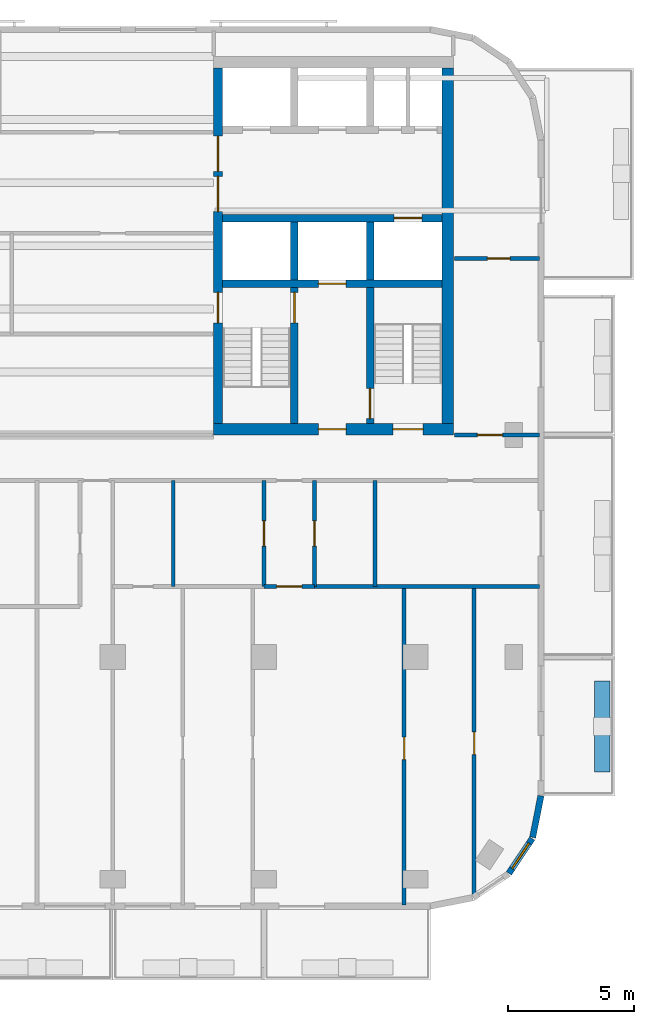
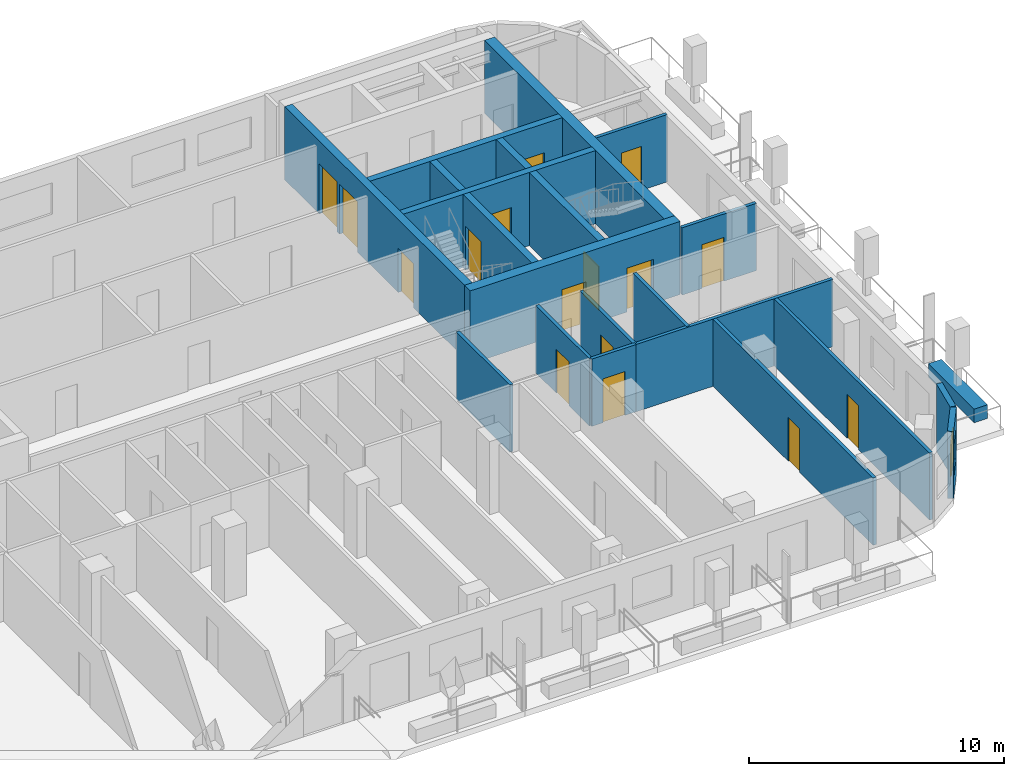
# One storey, part 5 of 11: 22 walls, 16 doors, 1 window, 17 openings.
"""IFC4 building model written with IfcOpenShell, lengths in metres."""

from ifc_helpers import new_model, si_unit, direction, frame, frame_2d, origin, place, context, subcontext, project, spatial, rectangle, extrude, material, layer, layer_set, type_object, element, fill, save


model = new_model("IFC4")

# Units and contexts
model_context = context("Model", 3, precision=1e-05, world=origin(), true_north=direction((0.0, 1.0)))
body_context = subcontext(model_context, "Body", "Model", "MODEL_VIEW")
ifc_project = project(units=[si_unit("LENGTHUNIT", "METRE"), si_unit("AREAUNIT", "SQUARE_METRE"), si_unit("VOLUMEUNIT", "CUBIC_METRE"), si_unit("PLANEANGLEUNIT", "RADIAN"), si_unit("MASSUNIT", "GRAM", prefix="KILO")], contexts=[model_context])

# Site, building, storey
site_placement = place(None, origin())
site = spatial("IfcSite", under=ifc_project, at=site_placement, CompositionType="ELEMENT")
building_placement = place(site_placement, origin())
building = spatial("IfcBuilding", under=site, at=building_placement, Name="Torana Hotel and Residences", CompositionType="ELEMENT")
storey_placement = place(building_placement, frame((0.0, 0.0, 287.60009765625)))
storey = spatial("IfcBuildingStorey", under=building, at=storey_placement, Name="L76", CompositionType="ELEMENT", Elevation=287.60009765625)

# Wall, opening, door
ifc_material_1 = material(Name="Concrete C60/75", Category="concrete")
ifc_layer_1 = layer(ifc_material_1, 0.300048828125)
ifc_layer_set_1 = layer_set([ifc_layer_1], Name="CORE WALL 300 C60/75")
wall_type_1 = type_object("IfcWallType", Name="CORE WALL 300 C60/75", PredefinedType="SHEAR", material=ifc_layer_set_1)
wall_1_placement = place(storey_placement, frame((10.35009765625, -6.39990234375, 0.0), z_axis=(0.0, 0.0, 1.0), x_axis=(1.0, 0.0, 0.0)))
wall_1 = element("IfcWall", 1, at=wall_1_placement, inside=storey, type_object=wall_type_1, Name="Core wall E row-S", PredefinedType="SHEAR", context=body_context, shape_type="SweptSolid", body=[
    extrude(rectangle(XDim=8.699951171875, YDim=0.300048828125, at=frame_2d((4.35009765625, 0.0))), origin(), (0.0, 0.0, 1.0), 3.5),
])
opening_1_placement = place(wall_1_placement, frame((6.800048828125, 0.0, 0.0)))
opening_1 = element("IfcOpeningElement", 2, at=opening_1_placement, cuts=wall_1, Name="Opening LD", PredefinedType="OPENING", context=body_context, shape_type="SweptSolid", body=[
    extrude(rectangle(XDim=1.10009765625, YDim=2.10009765625, at=frame_2d((0.550048828125, 1.050048828125))), frame((0.0, 0.159912109375, 0.0), z_axis=(0.0, -1.0, 0.0), x_axis=(1.0, 0.0, 0.0)), (0.0, 0.0, 1.0), 0.320068359375),
])
ifc_material_2 = material(Name="Stainless steel 316", Category="steel")
door_type_1 = type_object("IfcDoorType", Name="LIFT LANDING DOOR LD 1100x2100", OperationType="DOUBLE_DOOR_SLIDING", PredefinedType="USERDEFINED", material=ifc_material_2)
door_1_placement = place(opening_1_placement, origin())
door_1 = element("IfcDoor", 3, at=door_1_placement, inside=storey, type_object=door_type_1, Name="Lift landing door SV2 L76", ObjectType="LIFT LANDING DOOR", OperationType="DOUBLE_DOOR_SLIDING", OverallHeight=2.10009765625, OverallWidth=1.10009765625, PredefinedType="USERDEFINED", context=body_context, shape_type="SweptSolid", body=[
    extrude(rectangle(XDim=1.10009765625, YDim=2.10009765625, at=frame_2d((0.550048828125, 1.050048828125))), frame((0.0, 0.02490234375, 0.0), z_axis=(0.0, -1.0, 0.0), x_axis=(1.0, 0.0, 0.0)), (0.0, 0.0, 1.0), 0.050048828125),
])
fill(opening_1, door_1)

wall_2_placement = place(storey_placement, frame((10.35009765625, -9.0, 0.0), z_axis=(0.0, 0.0, 1.0), x_axis=(1.0, 0.0, 0.0)))
wall_2 = element("IfcWall", 4, at=wall_2_placement, inside=storey, type_object=wall_type_1, Name="Core wall E band", PredefinedType="SHEAR", context=body_context, shape_type="SweptSolid", body=[
    extrude(rectangle(XDim=8.699951171875, YDim=0.300048828125, at=frame_2d((4.35009765625, 0.0))), origin(), (0.0, 0.0, 1.0), 3.5),
])
opening_2_placement = place(wall_2_placement, frame((3.800048828125, 0.0, 0.0)))
opening_2 = element("IfcOpeningElement", 5, at=opening_2_placement, cuts=wall_2, Name="Opening LD", PredefinedType="OPENING", context=body_context, shape_type="SweptSolid", body=[
    extrude(rectangle(XDim=1.10009765625, YDim=2.10009765625, at=frame_2d((0.550048828125, 1.050048828125))), frame((0.0, 0.159912109375, 0.0), z_axis=(0.0, -1.0, 0.0), x_axis=(1.0, 0.0, 0.0)), (0.0, 0.0, 1.0), 0.320068359375),
])
door_2_placement = place(opening_2_placement, origin())
door_2 = element("IfcDoor", 6, at=door_2_placement, inside=storey, type_object=door_type_1, Name="Lift landing door FF2 L76", ObjectType="LIFT LANDING DOOR", OperationType="DOUBLE_DOOR_SLIDING", OverallHeight=2.10009765625, OverallWidth=1.10009765625, PredefinedType="USERDEFINED", context=body_context, shape_type="SweptSolid", body=[
    extrude(rectangle(XDim=1.10009765625, YDim=2.10009765625, at=frame_2d((0.550048828125, 1.050048828125))), frame((0.0, 0.02490234375, 0.0), z_axis=(0.0, -1.0, 0.0), x_axis=(1.0, 0.0, 0.0)), (0.0, 0.0, 1.0), 0.050048828125),
])
fill(opening_2, door_2)

# Wall
wall_3_placement = place(storey_placement, frame((13.199951171875, -8.85009765625, 0.0), z_axis=(0.0, 0.0, 1.0), x_axis=(0.0, 1.0, 0.0)))
element("IfcWall", 7, at=wall_3_placement, inside=storey, type_object=wall_type_1, Name="Core wall E x3.05-S", PredefinedType="SHEAR", context=body_context, shape_type="SweptSolid", body=[
    extrude(rectangle(XDim=2.300048828125, YDim=0.300048828125, at=frame_2d((1.14990234375, 0.0))), origin(), (0.0, 0.0, 1.0), 3.5),
])

# Wall, opening, door
wall_4_placement = place(storey_placement, frame((13.199951171875, -14.550048828125, 0.0), z_axis=(0.0, 0.0, 1.0), x_axis=(0.0, 1.0, 0.0)))
wall_4 = element("IfcWall", 8, at=wall_4_placement, inside=storey, type_object=wall_type_1, Name="Core wall E x3.05-band", PredefinedType="SHEAR", context=body_context, shape_type="SweptSolid", body=[
    extrude(rectangle(XDim=5.400146484375, YDim=0.300048828125, at=frame_2d((2.7001953125, 0.0))), origin(), (0.0, 0.0, 1.0), 3.5),
])
opening_3_placement = place(wall_4_placement, frame((4.0, 0.0, 0.0)))
opening_3 = element("IfcOpeningElement", 9, at=opening_3_placement, cuts=wall_4, Name="Opening L76-17", PredefinedType="OPENING", context=body_context, shape_type="SweptSolid", body=[
    extrude(rectangle(XDim=1.199951171875, YDim=2.10009765625, at=frame_2d((0.60009765625, 1.050048828125))), frame((0.0, 0.159912109375, 0.0), z_axis=(0.0, -1.0, 0.0), x_axis=(1.0, 0.0, 0.0)), (0.0, 0.0, 1.0), 0.320068359375),
])
ifc_material_3 = material(Name="Steel S235", Category="steel")
door_type_2 = type_object("IfcDoorType", Name="STAIR FIRE DOOR D3 1200x2100", OperationType="SINGLE_SWING_LEFT", PredefinedType="DOOR", material=ifc_material_3)
door_3_placement = place(opening_3_placement, origin())
door_3 = element("IfcDoor", 10, at=door_3_placement, inside=storey, type_object=door_type_2, Name="Stair-A-lobby door L76", OperationType="SINGLE_SWING_LEFT", OverallHeight=2.10009765625, OverallWidth=1.199951171875, PredefinedType="DOOR", context=body_context, shape_type="SweptSolid", body=[
    extrude(rectangle(XDim=1.199951171875, YDim=2.10009765625, at=frame_2d((0.60009765625, 1.050048828125))), frame((0.0, 0.02490234375, 0.0), z_axis=(0.0, -1.0, 0.0), x_axis=(1.0, 0.0, 0.0)), (0.0, 0.0, 1.0), 0.050048828125),
])
fill(opening_3, door_3)

# Wall
wall_5_placement = place(storey_placement, frame((16.199951171875, -8.85009765625, 0.0), z_axis=(0.0, 0.0, 1.0), x_axis=(0.0, 1.0, 0.0)))
element("IfcWall", 11, at=wall_5_placement, inside=storey, type_object=wall_type_1, Name="Core wall E x6.05-S", PredefinedType="SHEAR", context=body_context, shape_type="SweptSolid", body=[
    extrude(rectangle(XDim=2.300048828125, YDim=0.300048828125, at=frame_2d((1.14990234375, 0.0))), origin(), (0.0, 0.0, 1.0), 3.5),
])

# Wall, opening, door
wall_6_placement = place(storey_placement, frame((16.199951171875, -14.550048828125, 0.0), z_axis=(0.0, 0.0, 1.0), x_axis=(0.0, 1.0, 0.0)))
wall_6 = element("IfcWall", 12, at=wall_6_placement, inside=storey, type_object=wall_type_1, Name="Core wall E x6.05-band", PredefinedType="SHEAR", context=body_context, shape_type="SweptSolid", body=[
    extrude(rectangle(XDim=5.400146484375, YDim=0.300048828125, at=frame_2d((2.7001953125, 0.0))), origin(), (0.0, 0.0, 1.0), 3.5),
])
opening_4_placement = place(wall_6_placement, frame((0.199951171875, 0.0, 0.0)))
opening_4 = element("IfcOpeningElement", 13, at=opening_4_placement, cuts=wall_6, Name="Opening L76-18", PredefinedType="OPENING", context=body_context, shape_type="SweptSolid", body=[
    extrude(rectangle(XDim=1.199951171875, YDim=2.10009765625, at=frame_2d((0.60009765625, 1.050048828125))), frame((0.0, 0.159912109375, 0.0), z_axis=(0.0, -1.0, 0.0), x_axis=(1.0, 0.0, 0.0)), (0.0, 0.0, 1.0), 0.320068359375),
])
door_4_placement = place(opening_4_placement, frame((0.60009765625, 0.0, 0.0), z_axis=(0.0, 0.0, 1.0), x_axis=(-1.0, 0.0, 0.0)))
door_4 = element("IfcDoor", 14, at=door_4_placement, inside=storey, type_object=door_type_2, Name="Stair-B-lobby door L76", OperationType="SINGLE_SWING_LEFT", OverallHeight=2.10009765625, OverallWidth=1.199951171875, PredefinedType="DOOR", context=body_context, shape_type="SweptSolid", body=[
    extrude(rectangle(XDim=1.199951171875, YDim=2.10009765625, at=frame_2d((0.0, 1.050048828125))), frame((0.0, -0.02490234375, 0.0), z_axis=(0.0, 1.0, 0.0), x_axis=(-1.0, 0.0, 0.0)), (0.0, 0.0, 1.0), 0.050048828125),
])
fill(opening_4, door_4)

# Wall, openings, doors
ifc_material_4 = material(Name="Concrete C60/75", Category="concrete")
ifc_layer_2 = layer(ifc_material_4, 0.35009765625)
ifc_layer_set_2 = layer_set([ifc_layer_2], Name="CORE WALL 350 C60/75")
wall_type_2 = type_object("IfcWallType", Name="CORE WALL 350 C60/75", PredefinedType="SHEAR", material=ifc_layer_set_2)
wall_7_placement = place(storey_placement, frame((10.175048828125, -14.550048828125, 0.0), z_axis=(0.0, 0.0, 1.0), x_axis=(0.0, 1.0, 0.0)))
wall_7 = element("IfcWall", 15, at=wall_7_placement, inside=storey, type_object=wall_type_2, Name="Core wall E arch", PredefinedType="SHEAR", context=body_context, shape_type="SweptSolid", body=[
    extrude(rectangle(XDim=14.10009765625, YDim=0.35009765625, at=frame_2d((7.050048828125, 0.0))), origin(), (0.0, 0.0, 1.0), 3.5),
])
opening_5_placement = place(wall_7_placement, frame((8.39990234375, 0.0, 0.0)))
opening_5 = element("IfcOpeningElement", 16, at=opening_5_placement, cuts=wall_7, Name="Opening L76-10", PredefinedType="OPENING", context=body_context, shape_type="SweptSolid", body=[
    extrude(rectangle(XDim=1.39990234375, YDim=2.39990234375, at=frame_2d((0.699951171875, 1.199951171875))), frame((0.0, 0.18505859375, 0.0), z_axis=(0.0, -1.0, 0.0), x_axis=(1.0, 0.0, 0.0)), (0.0, 0.0, 1.0), 0.3701171875),
])
opening_6_placement = place(wall_7_placement, frame((10.0, 0.0, 0.0)))
opening_6 = element("IfcOpeningElement", 17, at=opening_6_placement, cuts=wall_7, Name="Opening L76-11", PredefinedType="OPENING", context=body_context, shape_type="SweptSolid", body=[
    extrude(rectangle(XDim=1.39990234375, YDim=2.39990234375, at=frame_2d((0.699951171875, 1.199951171875))), frame((0.0, 0.18505859375, 0.0), z_axis=(0.0, -1.0, 0.0), x_axis=(1.0, 0.0, 0.0)), (0.0, 0.0, 1.0), 0.3701171875),
])
opening_7_placement = place(wall_7_placement, frame((4.0, 0.0, 0.0)))
opening_7 = element("IfcOpeningElement", 18, at=opening_7_placement, cuts=wall_7, Name="Opening L76-12", PredefinedType="OPENING", context=body_context, shape_type="SweptSolid", body=[
    extrude(rectangle(XDim=1.199951171875, YDim=2.10009765625, at=frame_2d((0.60009765625, 1.050048828125))), frame((0.0, 0.18505859375, 0.0), z_axis=(0.0, -1.0, 0.0), x_axis=(1.0, 0.0, 0.0)), (0.0, 0.0, 1.0), 0.3701171875),
])
ifc_material_5 = material(Name="Steel S235", Category="steel")
door_type_3 = type_object("IfcDoorType", Name="LOBBY FIRE DOOR D4 1400x2400", OperationType="DOUBLE_DOOR_SINGLE_SWING", PredefinedType="DOOR", material=ifc_material_5)
door_5_placement = place(opening_5_placement, origin())
door_5 = element("IfcDoor", 19, at=door_5_placement, inside=storey, type_object=door_type_3, Name="Lobby-1 door L76", OperationType="DOUBLE_DOOR_SINGLE_SWING", OverallHeight=2.39990234375, OverallWidth=1.39990234375, PredefinedType="DOOR", context=body_context, shape_type="SweptSolid", body=[
    extrude(rectangle(XDim=1.39990234375, YDim=2.39990234375, at=frame_2d((0.699951171875, 1.199951171875))), frame((0.0, 0.02490234375, 0.0), z_axis=(0.0, -1.0, 0.0), x_axis=(1.0, 0.0, 0.0)), (0.0, 0.0, 1.0), 0.050048828125),
])
fill(opening_5, door_5)
door_6_placement = place(opening_6_placement, origin())
door_6 = element("IfcDoor", 20, at=door_6_placement, inside=storey, type_object=door_type_3, Name="Lobby-2 door L76", OperationType="DOUBLE_DOOR_SINGLE_SWING", OverallHeight=2.39990234375, OverallWidth=1.39990234375, PredefinedType="DOOR", context=body_context, shape_type="SweptSolid", body=[
    extrude(rectangle(XDim=1.39990234375, YDim=2.39990234375, at=frame_2d((0.699951171875, 1.199951171875))), frame((0.0, 0.02490234375, 0.0), z_axis=(0.0, -1.0, 0.0), x_axis=(1.0, 0.0, 0.0)), (0.0, 0.0, 1.0), 0.050048828125),
])
fill(opening_6, door_6)
door_7_placement = place(opening_7_placement, frame((0.60009765625, 0.0, 0.0), z_axis=(0.0, 0.0, 1.0), x_axis=(-1.0, 0.0, 0.0)))
door_7 = element("IfcDoor", 21, at=door_7_placement, inside=storey, type_object=door_type_2, Name="Stair-A door L76", OperationType="SINGLE_SWING_RIGHT", OverallHeight=2.10009765625, OverallWidth=1.199951171875, PredefinedType="DOOR", context=body_context, shape_type="SweptSolid", body=[
    extrude(rectangle(XDim=1.199951171875, YDim=2.10009765625, at=frame_2d((0.0, 1.050048828125))), frame((0.0, -0.02490234375, 0.0), z_axis=(0.0, 1.0, 0.0), x_axis=(-1.0, 0.0, 0.0)), (0.0, 0.0, 1.0), 0.050048828125),
])
fill(opening_7, door_7)

ifc_material_6 = material(Name="Concrete C60/75", Category="concrete")
ifc_layer_3 = layer(ifc_material_6, 0.449951171875)
ifc_layer_set_3 = layer_set([ifc_layer_3], Name="CORE WALL 450 C60/75")
wall_type_3 = type_object("IfcWallType", Name="CORE WALL 450 C60/75", PredefinedType="SHEAR", material=ifc_layer_set_3)
wall_8_placement = place(storey_placement, frame((10.0, -14.77490234375, 0.0), z_axis=(0.0, 0.0, 1.0), x_axis=(1.0, 0.0, 0.0)))
wall_8 = element("IfcWall", 22, at=wall_8_placement, inside=storey, type_object=wall_type_3, Name="Core wall E front", PredefinedType="SHEAR", context=body_context, shape_type="SweptSolid", body=[
    extrude(rectangle(XDim=9.5, YDim=0.449951171875, at=frame_2d((4.75, 0.0))), origin(), (0.0, 0.0, 1.0), 3.5),
])
opening_8_placement = place(wall_8_placement, frame((7.10009765625, 0.0, 0.0)))
opening_8 = element("IfcOpeningElement", 23, at=opening_8_placement, cuts=wall_8, Name="Opening L76-13", PredefinedType="OPENING", context=body_context, shape_type="SweptSolid", body=[
    extrude(rectangle(XDim=1.199951171875, YDim=2.10009765625, at=frame_2d((0.60009765625, 1.050048828125))), frame((0.0, 0.23486328125, 0.0), z_axis=(0.0, -1.0, 0.0), x_axis=(1.0, 0.0, 0.0)), (0.0, 0.0, 1.0), 0.469970703125),
])
opening_9_placement = place(wall_8_placement, frame((4.14990234375, 0.0, 0.0)))
opening_9 = element("IfcOpeningElement", 24, at=opening_9_placement, cuts=wall_8, Name="Opening L76-14", PredefinedType="OPENING", context=body_context, shape_type="SweptSolid", body=[
    extrude(rectangle(XDim=1.10009765625, YDim=2.10009765625, at=frame_2d((0.550048828125, 1.050048828125))), frame((0.0, 0.23486328125, 0.0), z_axis=(0.0, -1.0, 0.0), x_axis=(1.0, 0.0, 0.0)), (0.0, 0.0, 1.0), 0.469970703125),
])
ifc_material_7 = material(Name="Steel S235", Category="steel")
door_type_4 = type_object("IfcDoorType", Name="FIRE-FIGHTING LOBBY DOOR D8 1100x2100", OperationType="SINGLE_SWING_LEFT", PredefinedType="DOOR", material=ifc_material_7)
door_8_placement = place(opening_9_placement, origin())
door_8 = element("IfcDoor", 25, at=door_8_placement, inside=storey, type_object=door_type_4, Name="FF-lobby door L76", OperationType="SINGLE_SWING_RIGHT", OverallHeight=2.10009765625, OverallWidth=1.10009765625, PredefinedType="DOOR", context=body_context, shape_type="SweptSolid", body=[
    extrude(rectangle(XDim=1.10009765625, YDim=2.10009765625, at=frame_2d((0.550048828125, 1.050048828125))), frame((0.0, 0.02490234375, 0.0), z_axis=(0.0, -1.0, 0.0), x_axis=(1.0, 0.0, 0.0)), (0.0, 0.0, 1.0), 0.050048828125),
])
fill(opening_9, door_8)
door_9_placement = place(opening_8_placement, origin())
door_9 = element("IfcDoor", 26, at=door_9_placement, inside=storey, type_object=door_type_2, Name="Stair-B door L76", OperationType="SINGLE_SWING_RIGHT", OverallHeight=2.10009765625, OverallWidth=1.199951171875, PredefinedType="DOOR", context=body_context, shape_type="SweptSolid", body=[
    extrude(rectangle(XDim=1.199951171875, YDim=2.10009765625, at=frame_2d((0.60009765625, 1.050048828125))), frame((0.0, 0.02490234375, 0.0), z_axis=(0.0, -1.0, 0.0), x_axis=(1.0, 0.0, 0.0)), (0.0, 0.0, 1.0), 0.050048828125),
])
fill(opening_8, door_9)

# Wall
wall_9_placement = place(storey_placement, frame((19.27490234375, -14.550048828125, 0.0), z_axis=(0.0, 0.0, 1.0), x_axis=(0.0, 1.0, 0.0)))
element("IfcWall", 27, at=wall_9_placement, inside=storey, type_object=wall_type_3, Name="Core wall E outer", PredefinedType="SHEAR", context=body_context, shape_type="SweptSolid", body=[
    extrude(rectangle(XDim=14.10009765625, YDim=0.449951171875, at=frame_2d((7.050048828125, 0.0))), origin(), (0.0, 0.0, 1.0), 3.5),
])

# Wall, opening, window
ifc_material_8 = material(Name="Black aluminium composite panel", Category="aluminium")
ifc_layer_4 = layer(ifc_material_8, 0.00390625, Name="Cladding", Category="cladding")
ifc_material_9 = material(Name="Ventilated air cavity")
ifc_layer_5 = layer(ifc_material_9, 0.0400390625, Name="Ventilated cavity", Category="cavity")
ifc_material_10 = material(Name="Mineral wool insulation")
ifc_layer_6 = layer(ifc_material_10, 0.090087890625, Name="Insulation", Category="insulation")
ifc_material_11 = material(Name="Steel S280GD", Category="steel")
ifc_layer_7 = layer(ifc_material_11, 0.092041015625, Name="Steel stud frame", Category="structure")
ifc_material_12 = material(Name="Fire rated plasterboard")
ifc_layer_8 = layer(ifc_material_12, 0.011962890625, Name="Inner board", Category="finish")
ifc_layer_9 = layer(ifc_material_12, 0.011962890625, Name="Second board", Category="finish")
ifc_layer_set_4 = layer_set([ifc_layer_4, ifc_layer_5, ifc_layer_6, ifc_layer_7, ifc_layer_8, ifc_layer_9], Name="EW1 EXTERNAL WALL BLACK METAL CLAD 250")
wall_type_4 = type_object("IfcWallType", Name="EW1 EXTERNAL WALL BLACK METAL CLAD 250", PredefinedType="SOLIDWALL", material=ifc_layer_set_4)
wall_10_placement = place(storey_placement, frame((21.705810546875, -32.37109375, 0.0), z_axis=(0.0, 0.0, 1.0), x_axis=(0.55555029066, 0.831482937015, 0.0)))
wall_10 = element("IfcWall", 28, at=wall_10_placement, inside=storey, type_object=wall_type_4, Name="External wall L76 e0.17", PredefinedType="SOLIDWALL", context=body_context, shape_type="SweptSolid", body=[
    extrude(rectangle(XDim=1.65625, YDim=0.25, at=frame_2d((0.828125, 0.0))), origin(), (0.0, 0.0, 1.0), 3.219970703125),
])
opening_10_placement = place(wall_10_placement, frame((0.228271484375, 0.0, 0.89990234375)))
opening_10 = element("IfcOpeningElement", 29, at=opening_10_placement, cuts=wall_10, Name="Opening W5", PredefinedType="OPENING", context=body_context, shape_type="SweptSolid", body=[
    extrude(rectangle(XDim=1.199951171875, YDim=1.5, at=frame_2d((0.60009765625, 0.75))), frame((0.0, 0.135009765625, 0.0), z_axis=(0.0, -1.0, 0.0), x_axis=(1.0, 0.0, 0.0)), (0.0, 0.0, 1.0), 0.27001953125),
])
ifc_material_13 = material(Name="Dark glass in black aluminium frame", Category="aluminium")
window_type = type_object("IfcWindowType", Name="W5 CORNER FACET WINDOW 1200x1500", PartitioningType="SINGLE_PANEL", PredefinedType="WINDOW", material=ifc_material_13)
window_placement = place(opening_10_placement, origin())
window = element("IfcWindow", 30, at=window_placement, inside=storey, type_object=window_type, Name="Window L76 e0.17", OverallHeight=1.5, OverallWidth=1.199951171875, PartitioningType="SINGLE_PANEL", PredefinedType="WINDOW", context=body_context, shape_type="SweptSolid", body=[
    extrude(rectangle(XDim=1.199951171875, YDim=1.5, at=frame_2d((0.60009765625, 0.75))), frame((0.0, 0.030029296875, 0.0), z_axis=(0.0, -1.0, 0.0), x_axis=(1.0, 0.0, 0.0)), (0.0, 0.0, 1.0), 0.06005859375),
])
fill(opening_10, window)

# Wall
wall_11_placement = place(storey_placement, frame((22.64453125, -30.948974609375, 0.0), z_axis=(0.0, 0.0, 1.0), x_axis=(0.19513878023, 0.980775640221, 0.0)))
element("IfcWall", 31, at=wall_11_placement, inside=storey, type_object=wall_type_4, Name="External wall L76 e0.18", PredefinedType="SOLIDWALL", context=body_context, shape_type="SweptSolid", body=[
    extrude(rectangle(XDim=1.681396484375, YDim=0.25, at=frame_2d((0.8408203125, 0.0))), origin(), (0.0, 0.0, 1.0), 3.219970703125),
])

# Wall, opening, door
ifc_material_14 = material(Name="Gypsum plaster")
ifc_layer_10 = layer(ifc_material_14, 0.014892578125, Name="Plaster", Category="finish")
ifc_material_15 = material(Name="Concrete blockwork", Category="masonry")
ifc_layer_11 = layer(ifc_material_15, 0.1201171875, Name="Blockwork", Category="structure")
ifc_layer_12 = layer(ifc_material_14, 0.014892578125, Name="Plaster", Category="finish")
ifc_layer_set_5 = layer_set([ifc_layer_10, ifc_layer_11, ifc_layer_12], Name="FIRE PARTITION 150 BLOCKWORK")
wall_type_5 = type_object("IfcWallType", Name="FIRE PARTITION 150 BLOCKWORK", PredefinedType="PARTITIONING", material=ifc_layer_set_5)
wall_12_placement = place(storey_placement, frame((14.0, -21.0, 0.0), z_axis=(0.0, 0.0, 1.0), x_axis=(0.0, 1.0, 0.0)))
wall_12 = element("IfcWall", 32, at=wall_12_placement, inside=storey, type_object=wall_type_5, Name="Partition L76", PredefinedType="PARTITIONING", context=body_context, shape_type="SweptSolid", body=[
    extrude(rectangle(XDim=4.199951171875, YDim=0.14990234375, at=frame_2d((2.10009765625, 0.0))), origin(), (0.0, 0.0, 1.0), 3.219970703125),
])
opening_11_placement = place(wall_12_placement, frame((1.60009765625, 0.0, 0.0)))
opening_11 = element("IfcOpeningElement", 33, at=opening_11_placement, cuts=wall_12, Name="Opening L76-53", PredefinedType="OPENING", context=body_context, shape_type="SweptSolid", body=[
    extrude(rectangle(XDim=1.0, YDim=2.10009765625, at=frame_2d((0.5, 1.050048828125))), frame((0.0, 0.0849609375, 0.0), z_axis=(0.0, -1.0, 0.0), x_axis=(1.0, 0.0, 0.0)), (0.0, 0.0, 1.0), 0.169921875),
])
ifc_material_16 = material(Name="Steel S235", Category="steel")
door_type_5 = type_object("IfcDoorType", Name="ENTRY FIRE DOOR D6 1000x2100", OperationType="SINGLE_SWING_LEFT", PredefinedType="DOOR", material=ifc_material_16)
door_10_placement = place(opening_11_placement, frame((0.5, 0.0, 0.0), z_axis=(0.0, 0.0, 1.0), x_axis=(-1.0, 0.0, 0.0)))
door_10 = element("IfcDoor", 34, at=door_10_placement, inside=storey, type_object=door_type_5, Name="Door L76", OperationType="SINGLE_SWING_LEFT", OverallHeight=2.10009765625, OverallWidth=1.0, PredefinedType="DOOR", context=body_context, shape_type="SweptSolid", body=[
    extrude(rectangle(XDim=1.0, YDim=2.10009765625, at=frame_2d((0.0, 1.050048828125))), frame((0.0, -0.02490234375, 0.0), z_axis=(0.0, 1.0, 0.0), x_axis=(-1.0, 0.0, 0.0)), (0.0, 0.0, 1.0), 0.050048828125),
])
fill(opening_11, door_10)

wall_13_placement = place(storey_placement, frame((12.0, -21.0, 0.0), z_axis=(0.0, 0.0, 1.0), x_axis=(0.0, 1.0, 0.0)))
wall_13 = element("IfcWall", 35, at=wall_13_placement, inside=storey, type_object=wall_type_5, Name="Partition L76", PredefinedType="PARTITIONING", context=body_context, shape_type="SweptSolid", body=[
    extrude(rectangle(XDim=4.199951171875, YDim=0.14990234375, at=frame_2d((2.10009765625, 0.0))), origin(), (0.0, 0.0, 1.0), 3.219970703125),
])
opening_12_placement = place(wall_13_placement, frame((1.60009765625, 0.0, 0.0)))
opening_12 = element("IfcOpeningElement", 36, at=opening_12_placement, cuts=wall_13, Name="Opening L76-52", PredefinedType="OPENING", context=body_context, shape_type="SweptSolid", body=[
    extrude(rectangle(XDim=1.0, YDim=2.10009765625, at=frame_2d((0.5, 1.050048828125))), frame((0.0, 0.0849609375, 0.0), z_axis=(0.0, -1.0, 0.0), x_axis=(1.0, 0.0, 0.0)), (0.0, 0.0, 1.0), 0.169921875),
])
door_11_placement = place(opening_12_placement, origin())
door_11 = element("IfcDoor", 37, at=door_11_placement, inside=storey, type_object=door_type_5, Name="Door L76", OperationType="SINGLE_SWING_RIGHT", OverallHeight=2.10009765625, OverallWidth=1.0, PredefinedType="DOOR", context=body_context, shape_type="SweptSolid", body=[
    extrude(rectangle(XDim=1.0, YDim=2.10009765625, at=frame_2d((0.5, 1.050048828125))), frame((0.0, 0.02490234375, 0.0), z_axis=(0.0, -1.0, 0.0), x_axis=(1.0, 0.0, 0.0)), (0.0, 0.0, 1.0), 0.050048828125),
])
fill(opening_12, door_11)

wall_14_placement = place(storey_placement, frame((12.0, -21.0, 0.0), z_axis=(0.0, 0.0, 1.0), x_axis=(1.0, 0.0, 0.0)))
wall_14 = element("IfcWall", 38, at=wall_14_placement, inside=storey, type_object=wall_type_5, Name="Partition L76", PredefinedType="PARTITIONING", context=body_context, shape_type="SweptSolid", body=[
    extrude(rectangle(XDim=2.0, YDim=0.14990234375, at=frame_2d((1.0, 0.0))), origin(), (0.0, 0.0, 1.0), 3.219970703125),
])
opening_13_placement = place(wall_14_placement, frame((0.5, 0.0, 0.0)))
opening_13 = element("IfcOpeningElement", 39, at=opening_13_placement, cuts=wall_14, Name="Opening L76-54", PredefinedType="OPENING", context=body_context, shape_type="SweptSolid", body=[
    extrude(rectangle(XDim=1.0, YDim=2.10009765625, at=frame_2d((0.5, 1.050048828125))), frame((0.0, 0.0849609375, 0.0), z_axis=(0.0, -1.0, 0.0), x_axis=(1.0, 0.0, 0.0)), (0.0, 0.0, 1.0), 0.169921875),
])
door_12_placement = place(opening_13_placement, frame((0.5, 0.0, 0.0), z_axis=(0.0, 0.0, 1.0), x_axis=(-1.0, 0.0, 0.0)))
door_12 = element("IfcDoor", 40, at=door_12_placement, inside=storey, type_object=door_type_5, Name="Door L76", OperationType="SINGLE_SWING_LEFT", OverallHeight=2.10009765625, OverallWidth=1.0, PredefinedType="DOOR", context=body_context, shape_type="SweptSolid", body=[
    extrude(rectangle(XDim=1.0, YDim=2.10009765625, at=frame_2d((0.0, 1.050048828125))), frame((0.0, -0.02490234375, 0.0), z_axis=(0.0, 1.0, 0.0), x_axis=(-1.0, 0.0, 0.0)), (0.0, 0.0, 1.0), 0.050048828125),
])
fill(opening_13, door_12)

wall_15_placement = place(storey_placement, frame((19.550048828125, -15.0, 0.0), z_axis=(0.0, 0.0, 1.0), x_axis=(1.0, 0.0, 0.0)))
wall_15 = element("IfcWall", 41, at=wall_15_placement, inside=storey, type_object=wall_type_5, Name="Partition L76", PredefinedType="PARTITIONING", context=body_context, shape_type="SweptSolid", body=[
    extrude(rectangle(XDim=3.369873046875, YDim=0.14990234375, at=frame_2d((1.68505859375, 0.0))), origin(), (0.0, 0.0, 1.0), 3.219970703125),
])
opening_14_placement = place(wall_15_placement, frame((0.89990234375, 0.0, 0.0)))
opening_14 = element("IfcOpeningElement", 42, at=opening_14_placement, cuts=wall_15, Name="Opening L76-29", PredefinedType="OPENING", context=body_context, shape_type="SweptSolid", body=[
    extrude(rectangle(XDim=1.0, YDim=2.10009765625, at=frame_2d((0.5, 1.050048828125))), frame((0.0, 0.0849609375, 0.0), z_axis=(0.0, -1.0, 0.0), x_axis=(1.0, 0.0, 0.0)), (0.0, 0.0, 1.0), 0.169921875),
])
ifc_material_17 = material(Name="Steel S235", Category="steel")
door_type_6 = type_object("IfcDoorType", Name="CORE ROOM FIRE DOOR D14 1000x2100", OperationType="SINGLE_SWING_LEFT", PredefinedType="DOOR", material=ifc_material_17)
door_13_placement = place(opening_14_placement, origin())
door_13 = element("IfcDoor", 43, at=door_13_placement, inside=storey, type_object=door_type_6, Name="Door L76", OperationType="SINGLE_SWING_LEFT", OverallHeight=2.10009765625, OverallWidth=1.0, PredefinedType="DOOR", context=body_context, shape_type="SweptSolid", body=[
    extrude(rectangle(XDim=1.0, YDim=2.10009765625, at=frame_2d((0.5, 1.050048828125))), frame((0.0, 0.02490234375, 0.0), z_axis=(0.0, -1.0, 0.0), x_axis=(1.0, 0.0, 0.0)), (0.0, 0.0, 1.0), 0.050048828125),
])
fill(opening_14, door_13)

ifc_material_18 = material(Name="Gypsum plasterboard")
ifc_layer_13 = layer(ifc_material_18, 0.012451171875, Name="Plasterboard", Category="finish")
ifc_layer_14 = layer(ifc_material_18, 0.012451171875, Name="Plasterboard", Category="finish")
ifc_layer_15 = layer(ifc_material_11, 0.10009765625, Name="Steel studs with mineral wool", Category="insulation")
ifc_layer_16 = layer(ifc_material_18, 0.012451171875, Name="Plasterboard", Category="finish")
ifc_layer_17 = layer(ifc_material_18, 0.012451171875, Name="Plasterboard", Category="finish")
ifc_layer_set_6 = layer_set([ifc_layer_13, ifc_layer_14, ifc_layer_15, ifc_layer_16, ifc_layer_17], Name="PARTITION 150 PLASTERBOARD")
wall_type_6 = type_object("IfcWallType", Name="PARTITION 150 PLASTERBOARD", PredefinedType="PARTITIONING", material=ifc_layer_set_6)
wall_16_placement = place(storey_placement, frame((20.324951171875, -33.239013671875, 0.0), z_axis=(0.0, 0.0, 1.0), x_axis=(0.0, 1.0, 0.0)))
wall_16 = element("IfcWall", 44, at=wall_16_placement, inside=storey, type_object=wall_type_6, Name="Partition L76", PredefinedType="PARTITIONING", context=body_context, shape_type="SweptSolid", body=[
    extrude(rectangle(XDim=12.239013671875, YDim=0.14990234375, at=frame_2d((6.11962890625, 0.0))), origin(), (0.0, 0.0, 1.0), 3.219970703125),
])
opening_15_placement = place(wall_16_placement, frame((5.569091796875, 0.0, 0.0)))
opening_15 = element("IfcOpeningElement", 45, at=opening_15_placement, cuts=wall_16, Name="Opening L76-58", PredefinedType="OPENING", context=body_context, shape_type="SweptSolid", body=[
    extrude(rectangle(XDim=0.89990234375, YDim=2.10009765625, at=frame_2d((0.449951171875, 1.050048828125))), frame((0.0, 0.0849609375, 0.0), z_axis=(0.0, -1.0, 0.0), x_axis=(1.0, 0.0, 0.0)), (0.0, 0.0, 1.0), 0.169921875),
])
ifc_material_19 = material(Name="Timber door, oiled ash", Category="wood")
door_type_7 = type_object("IfcDoorType", Name="ROOM DOOR D7 900x2100", OperationType="SINGLE_SWING_LEFT", PredefinedType="DOOR", material=ifc_material_19)
door_14_placement = place(opening_15_placement, origin())
door_14 = element("IfcDoor", 46, at=door_14_placement, inside=storey, type_object=door_type_7, Name="Door L76", OperationType="SINGLE_SWING_RIGHT", OverallHeight=2.10009765625, OverallWidth=0.89990234375, PredefinedType="DOOR", context=body_context, shape_type="SweptSolid", body=[
    extrude(rectangle(XDim=0.89990234375, YDim=2.10009765625, at=frame_2d((0.449951171875, 1.050048828125))), frame((0.0, 0.02490234375, 0.0), z_axis=(0.0, -1.0, 0.0), x_axis=(1.0, 0.0, 0.0)), (0.0, 0.0, 1.0), 0.050048828125),
])
fill(opening_15, door_14)

wall_17_placement = place(storey_placement, frame((17.550048828125, -33.6201171875, 0.0), z_axis=(0.0, 0.0, 1.0), x_axis=(0.0, 1.0, 0.0)))
wall_17 = element("IfcWall", 47, at=wall_17_placement, inside=storey, type_object=wall_type_6, Name="Partition L76", PredefinedType="PARTITIONING", context=body_context, shape_type="SweptSolid", body=[
    extrude(rectangle(XDim=12.6201171875, YDim=0.14990234375, at=frame_2d((6.31005859375, 0.0))), origin(), (0.0, 0.0, 1.0), 3.219970703125),
])
opening_16_placement = place(wall_17_placement, frame((5.75, 0.0, 0.0)))
opening_16 = element("IfcOpeningElement", 48, at=opening_16_placement, cuts=wall_17, Name="Opening L76-56", PredefinedType="OPENING", context=body_context, shape_type="SweptSolid", body=[
    extrude(rectangle(XDim=0.89990234375, YDim=2.10009765625, at=frame_2d((0.449951171875, 1.050048828125))), frame((0.0, 0.0849609375, 0.0), z_axis=(0.0, -1.0, 0.0), x_axis=(1.0, 0.0, 0.0)), (0.0, 0.0, 1.0), 0.169921875),
])
door_15_placement = place(opening_16_placement, origin())
door_15 = element("IfcDoor", 49, at=door_15_placement, inside=storey, type_object=door_type_7, Name="Door L76", OperationType="SINGLE_SWING_RIGHT", OverallHeight=2.10009765625, OverallWidth=0.89990234375, PredefinedType="DOOR", context=body_context, shape_type="SweptSolid", body=[
    extrude(rectangle(XDim=0.89990234375, YDim=2.10009765625, at=frame_2d((0.449951171875, 1.050048828125))), frame((0.0, 0.02490234375, 0.0), z_axis=(0.0, -1.0, 0.0), x_axis=(1.0, 0.0, 0.0)), (0.0, 0.0, 1.0), 0.050048828125),
])
fill(opening_16, door_15)

# Walls
for number, where, z_axis, x_axis, name in (
    (50, (16.39990234375, -21.0, 0.0), (0.0, 0.0, 1.0), (0.0, 1.0, 0.0), "Partition L76"),
    (51, (8.39990234375, -21.0, 0.0), (0.0, 0.0, 1.0), (0.0, 1.0, 0.0), "Partition L76"),
):
    element("IfcWall", number, at=place(storey_placement, frame(where, z_axis=z_axis, x_axis=x_axis)), inside=storey, type_object=wall_type_6, Name=name, PredefinedType="PARTITIONING", context=body_context, shape_type="SweptSolid", body=[
        extrude(rectangle(XDim=4.199951171875, YDim=0.14990234375, at=frame_2d((2.10009765625, 0.0))), origin(), (0.0, 0.0, 1.0), 3.219970703125),
    ])
wall_18_placement = place(storey_placement, frame((14.0, -21.0, 0.0), z_axis=(0.0, 0.0, 1.0), x_axis=(1.0, 0.0, 0.0)))
element("IfcWall", 52, at=wall_18_placement, inside=storey, type_object=wall_type_6, Name="Partition L76", PredefinedType="PARTITIONING", context=body_context, shape_type="SweptSolid", body=[
    extrude(rectangle(XDim=8.919921875, YDim=0.14990234375, at=frame_2d((4.4599609375, 0.0))), origin(), (0.0, 0.0, 1.0), 3.219970703125),
])

# Wall, opening, door
wall_19_placement = place(storey_placement, frame((19.550048828125, -8.0, 0.0), z_axis=(0.0, 0.0, 1.0), x_axis=(1.0, 0.0, 0.0)))
wall_19 = element("IfcWall", 53, at=wall_19_placement, inside=storey, type_object=wall_type_6, Name="Partition L76", PredefinedType="PARTITIONING", context=body_context, shape_type="SweptSolid", body=[
    extrude(rectangle(XDim=3.369873046875, YDim=0.14990234375, at=frame_2d((1.68505859375, 0.0))), origin(), (0.0, 0.0, 1.0), 3.219970703125),
])
opening_17_placement = place(wall_19_placement, frame((1.300048828125, 0.0, 0.0)))
opening_17 = element("IfcOpeningElement", 54, at=opening_17_placement, cuts=wall_19, Name="Opening L76-60", PredefinedType="OPENING", context=body_context, shape_type="SweptSolid", body=[
    extrude(rectangle(XDim=0.89990234375, YDim=2.10009765625, at=frame_2d((0.449951171875, 1.050048828125))), frame((0.0, 0.0849609375, 0.0), z_axis=(0.0, -1.0, 0.0), x_axis=(1.0, 0.0, 0.0)), (0.0, 0.0, 1.0), 0.169921875),
])
door_16_placement = place(opening_17_placement, origin())
door_16 = element("IfcDoor", 55, at=door_16_placement, inside=storey, type_object=door_type_7, Name="Door L76", OperationType="SINGLE_SWING_LEFT", OverallHeight=2.10009765625, OverallWidth=0.89990234375, PredefinedType="DOOR", context=body_context, shape_type="SweptSolid", body=[
    extrude(rectangle(XDim=0.89990234375, YDim=2.10009765625, at=frame_2d((0.449951171875, 1.050048828125))), frame((0.0, 0.02490234375, 0.0), z_axis=(0.0, -1.0, 0.0), x_axis=(1.0, 0.0, 0.0)), (0.0, 0.0, 1.0), 0.050048828125),
])
fill(opening_17, door_16)

# Wall
ifc_material_20 = material(Name="Concrete C40/50 precast", Category="concrete")
ifc_layer_18 = layer(ifc_material_20, 0.10009765625, Name="Planter shell", Category="structure")
ifc_material_21 = material(Name="Root resistant membrane")
ifc_layer_19 = layer(ifc_material_21, 0.00390625, Name="Waterproofing membrane", Category="membrane")
ifc_material_22 = material(Name="Drainage board with filter fleece")
ifc_layer_20 = layer(ifc_material_22, 0.02001953125, Name="Drainage board", Category="drainage")
ifc_material_23 = material(Name="Growing medium")
ifc_layer_21 = layer(ifc_material_23, 0.47607421875, Name="Planting substrate", Category="soil")
ifc_layer_set_7 = layer_set([ifc_layer_18, ifc_layer_19, ifc_layer_20, ifc_layer_21], Name="PL1 BALCONY PLANTER 600")
wall_type_7 = type_object("IfcWallType", Name="PL1 BALCONY PLANTER 600", PredefinedType="USERDEFINED", material=ifc_layer_set_7)
wall_20_placement = place(storey_placement, frame((25.39990234375, -24.75, 0.0), z_axis=(0.0, 0.0, 1.0), x_axis=(0.0, -1.0, 0.0)))
element("IfcWall", 56, at=wall_20_placement, inside=storey, type_object=wall_type_7, Name="Planter 11", ObjectType="PLANTER", PredefinedType="USERDEFINED", context=body_context, shape_type="SweptSolid", body=[
    extrude(rectangle(XDim=3.60009765625, YDim=0.60009765625, at=frame_2d((1.800048828125, 0.0))), origin(), (0.0, 0.0, 1.0), 0.64990234375),
])

save(model, "model.ifc")
